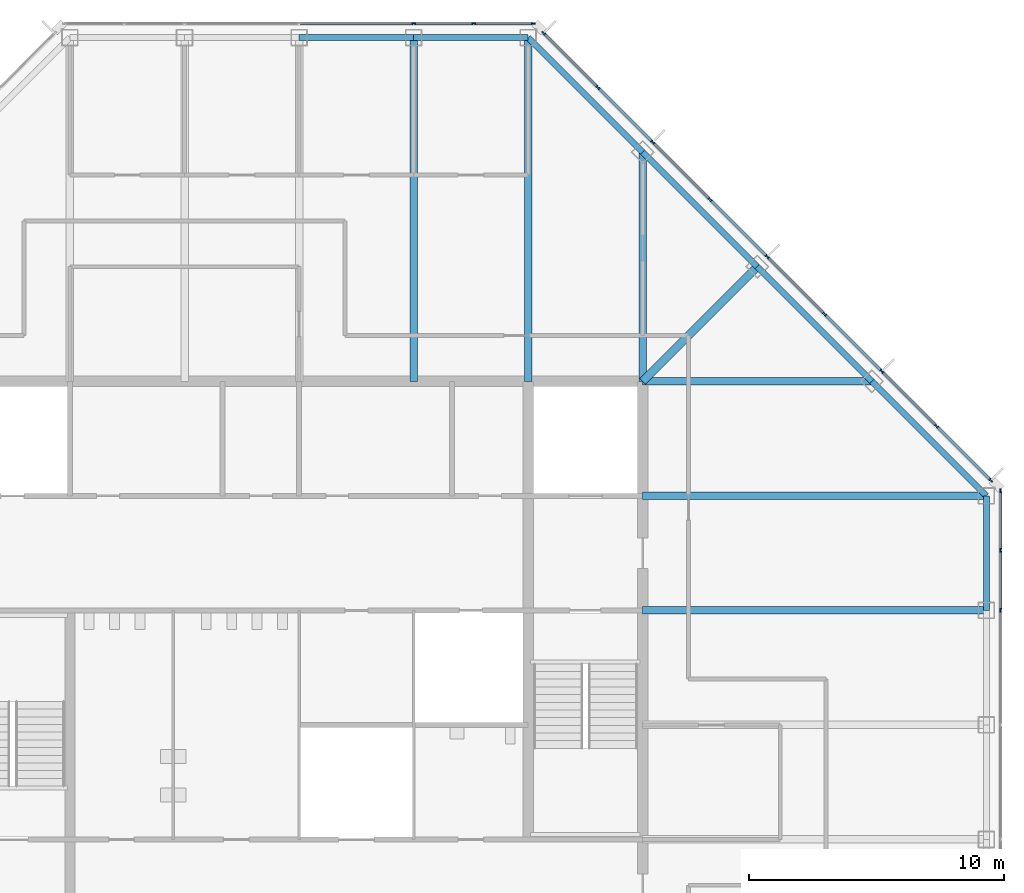
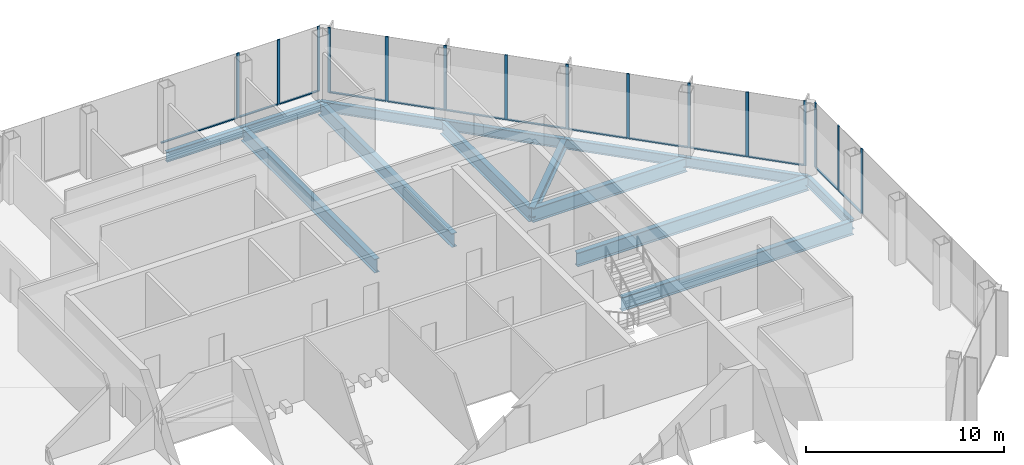
# One storey, part 7 of 14: 28 members, 14 beams, 3 elements without a shape of their own.
"""IFC4 building model written with IfcOpenShell, lengths in metres."""

from ifc_helpers import new_model, si_unit, direction, frame, origin, origin_2d, place, context, subcontext, project, spatial, rectangle, i_section, extrude, material, material_profile, profile_set, type_object, element, aggregate, save


model = new_model("IFC4")

# Units and contexts
model_context = context("Model", 3, precision=1e-05, world=origin(), true_north=direction((0.0, 1.0)))
body_context = subcontext(model_context, "Body", "Model", "MODEL_VIEW")
ifc_project = project(units=[si_unit("LENGTHUNIT", "METRE"), si_unit("AREAUNIT", "SQUARE_METRE"), si_unit("VOLUMEUNIT", "CUBIC_METRE"), si_unit("PLANEANGLEUNIT", "RADIAN"), si_unit("MASSUNIT", "GRAM", prefix="KILO")], contexts=[model_context])

# Site, building, storey
site_placement = place(None, origin())
site = spatial("IfcSite", under=ifc_project, at=site_placement, CompositionType="ELEMENT")
building_placement = place(site_placement, origin())
building = spatial("IfcBuilding", under=site, at=building_placement, Name="Corais Broadcast Tower", CompositionType="ELEMENT")
storey_placement = place(building_placement, frame((0.0, 0.0, 246.60009765625)))
storey = spatial("IfcBuildingStorey", under=building, at=storey_placement, Name="L57", CompositionType="ELEMENT", Elevation=246.60009765625)

# Beams
ifc_material_1 = material(Name="Steel ASTM A572 Grade 50", Category="steel")
ifc_material_profile_1 = material_profile(ifc_material_1, i_section(OverallWidth=0.323974609375, OverallDepth=0.611083984375, WebThickness=0.0126953125, FlangeThickness=0.01904296875, at=origin_2d()), Name="W610x155")
ifc_profile_set_1 = profile_set([ifc_material_profile_1], Name="Steel ASTM A572 Grade 50")
beam_type_1 = type_object("IfcBeamType", Name="Corner diagonal W610x155", PredefinedType="BEAM", material=ifc_profile_set_1)
beam_1_placement = place(storey_placement, frame((45.0, 45.0, -0.465576171875), z_axis=(-0.707106781187, -0.707106781187, 0.0), x_axis=(0.707106781187, -0.707106781187, 0.0)))
element("IfcBeam", 1, at=beam_1_placement, inside=storey, type_object=beam_type_1, Name="B6 L/13 to K/12", PredefinedType="BEAM", context=body_context, shape_type="SweptSolid", body=[
    extrude(i_section(OverallWidth=0.323974609375, OverallDepth=0.611083984375, WebThickness=0.0126953125, FlangeThickness=0.01904296875, at=origin_2d()), origin(), (0.0, 0.0, 1.0), 6.364013671875),
])
ifc_material_2 = material(Name="Steel ASTM A572 Grade 50", Category="steel")
ifc_material_profile_2 = material_profile(ifc_material_2, i_section(OverallWidth=0.2939453125, OverallDepth=0.85107421875, WebThickness=0.01611328125, FlangeThickness=0.02685546875, at=origin_2d()), Name="W840x226")
ifc_profile_set_2 = profile_set([ifc_material_profile_2], Name="Steel ASTM A572 Grade 50")
beam_type_2 = type_object("IfcBeamType", Name="Floor beam W840x226", PredefinedType="BEAM", material=ifc_profile_set_2)
for number, where, z_axis, x_axis, name in (
    (2, (31.5, 54.0, -0.585693359375), (0.0, -1.0, 0.0), (1.0, 0.0, 0.0), "B1 N/10 to K/10"),
    (3, (36.0, 54.0, -0.585693359375), (0.0, -1.0, 0.0), (1.0, 0.0, 0.0), "B1 N/11 to K/11"),
):
    element("IfcBeam", number, at=place(storey_placement, frame(where, z_axis=z_axis, x_axis=x_axis)), inside=storey, type_object=beam_type_2, Name=name, PredefinedType="BEAM", context=body_context, shape_type="SweptSolid", body=[
        extrude(i_section(OverallWidth=0.2939453125, OverallDepth=0.85107421875, WebThickness=0.01611328125, FlangeThickness=0.02685546875, at=origin_2d()), origin(), (0.0, 0.0, 1.0), 13.5),
    ])
for number, where, z_axis, x_axis, name in (
    (4, (40.5, 49.5, -0.585693359375), (0.0, -1.0, 0.0), (1.0, 0.0, 0.0), "B1 M/12 to K/12"),
    (5, (49.5, 40.5, -0.585693359375), (-1.0, 0.0, 0.0), (0.0, -1.0, 0.0), "B1 K/14 to K/12"),
):
    element("IfcBeam", number, at=place(storey_placement, frame(where, z_axis=z_axis, x_axis=x_axis)), inside=storey, type_object=beam_type_2, Name=name, PredefinedType="BEAM", context=body_context, shape_type="SweptSolid", body=[
        extrude(i_section(OverallWidth=0.2939453125, OverallDepth=0.85107421875, WebThickness=0.01611328125, FlangeThickness=0.02685546875, at=origin_2d()), origin(), (0.0, 0.0, 1.0), 9.0),
    ])
for number, where, z_axis, x_axis, name in (
    (6, (54.0, 31.5, -0.585693359375), (-1.0, 0.0, 0.0), (0.0, -1.0, 0.0), "B1 H/15 to H/12"),
    (7, (54.0, 36.0, -0.585693359375), (-1.0, 0.0, 0.0), (0.0, -1.0, 0.0), "B1 J/15 to J/12"),
):
    element("IfcBeam", number, at=place(storey_placement, frame(where, z_axis=z_axis, x_axis=x_axis)), inside=storey, type_object=beam_type_2, Name=name, PredefinedType="BEAM", context=body_context, shape_type="SweptSolid", body=[
        extrude(i_section(OverallWidth=0.2939453125, OverallDepth=0.85107421875, WebThickness=0.01611328125, FlangeThickness=0.02685546875, at=origin_2d()), origin(), (0.0, 0.0, 1.0), 13.5),
    ])

# Curtain wall, members
ifc_material_3 = material(Name="Aluminium and glass", Category="aluminium")
curtain_wall_type = type_object("IfcCurtainWallType", Name="Unitised fritted curtain wall CW3", PredefinedType="NOTDEFINED", material=ifc_material_3)
curtain_wall_1_placement = place(storey_placement, origin())
curtain_wall_1 = element("IfcCurtainWall", 8, at=curtain_wall_1_placement, inside=storey, type_object=curtain_wall_type, Name="CW3 curtain wall L57 4", PredefinedType="NOTDEFINED")
ifc_material_4 = material(Name="Aluminium 6063-T6", Category="aluminium")
ifc_material_profile_3 = material_profile(ifc_material_4, rectangle(XDim=0.06494140625, YDim=0.159912109375, at=origin_2d()), Name="Mullion CW3 65x160")
ifc_profile_set_3 = profile_set([ifc_material_profile_3], Name="Aluminium 6063-T6")
member_type_1 = type_object("IfcMemberType", Name="Mullion CW3 65x160", PredefinedType="MULLION", material=ifc_profile_set_3)
member_1_placement = place(storey_placement, frame((31.5, 54.550048828125, 0.0), z_axis=(0.0, 0.0, 1.0), x_axis=(0.0, 1.0, 0.0)))
member_1 = element("IfcMember", 9, at=member_1_placement, type_object=member_type_1, Name="CW3 mullion 5", PredefinedType="MULLION", context=body_context, shape_type="SweptSolid", body=[
    extrude(rectangle(XDim=0.06494140625, YDim=0.159912109375, at=origin_2d()), origin(), (0.0, 0.0, 1.0), 4.0),
])
member_2_placement = place(storey_placement, frame((33.864013671875, 54.550048828125, 0.0), z_axis=(0.0, 0.0, 1.0), x_axis=(0.0, 1.0, 0.0)))
member_2 = element("IfcMember", 10, at=member_2_placement, type_object=member_type_1, Name="CW3 mullion 6", PredefinedType="MULLION", context=body_context, shape_type="SweptSolid", body=[
    extrude(rectangle(XDim=0.06494140625, YDim=0.159912109375, at=origin_2d()), origin(), (0.0, 0.0, 1.0), 4.0),
])
member_3_placement = place(storey_placement, frame((36.1953125, 54.550048828125, 0.0), z_axis=(0.0, 0.0, 1.0), x_axis=(0.0, 1.0, 0.0)))
member_3 = element("IfcMember", 11, at=member_3_placement, type_object=member_type_1, Name="CW3 mullion 7", PredefinedType="MULLION", context=body_context, shape_type="SweptSolid", body=[
    extrude(rectangle(XDim=0.06494140625, YDim=0.159912109375, at=origin_2d()), origin(), (0.0, 0.0, 1.0), 4.0),
])

curtain_wall_2_placement = place(storey_placement, origin())
curtain_wall_2 = element("IfcCurtainWall", 12, at=curtain_wall_2_placement, inside=storey, type_object=curtain_wall_type, Name="CW3 curtain wall L57 5", PredefinedType="NOTDEFINED")
member_4_placement = place(storey_placement, frame((36.6044921875, 54.17333984375, 0.0), z_axis=(0.0, 0.0, 1.0), x_axis=(0.707106781187, 0.707106781187, 0.0)))
member_4 = element("IfcMember", 13, at=member_4_placement, type_object=member_type_1, Name="CW3 mullion 1", PredefinedType="MULLION", context=body_context, shape_type="SweptSolid", body=[
    extrude(rectangle(XDim=0.06494140625, YDim=0.159912109375, at=origin_2d()), origin(), (0.0, 0.0, 1.0), 4.0),
])
member_5_placement = place(storey_placement, frame((38.735107421875, 52.042724609375, 0.0), z_axis=(0.0, 0.0, 1.0), x_axis=(0.707106781187, 0.707106781187, 0.0)))
member_5 = element("IfcMember", 14, at=member_5_placement, type_object=member_type_1, Name="CW3 mullion 2", PredefinedType="MULLION", context=body_context, shape_type="SweptSolid", body=[
    extrude(rectangle(XDim=0.06494140625, YDim=0.159912109375, at=origin_2d()), origin(), (0.0, 0.0, 1.0), 4.0),
])
member_6_placement = place(storey_placement, frame((40.888916015625, 49.888916015625, 0.0), z_axis=(0.0, 0.0, 1.0), x_axis=(0.707106781187, 0.707106781187, 0.0)))
member_6 = element("IfcMember", 15, at=member_6_placement, type_object=member_type_1, Name="CW3 mullion 3", PredefinedType="MULLION", context=body_context, shape_type="SweptSolid", body=[
    extrude(rectangle(XDim=0.06494140625, YDim=0.159912109375, at=origin_2d()), origin(), (0.0, 0.0, 1.0), 4.0),
])
member_7_placement = place(storey_placement, frame((43.138916015625, 47.638916015625, 0.0), z_axis=(0.0, 0.0, 1.0), x_axis=(0.707106781187, 0.707106781187, 0.0)))
member_7 = element("IfcMember", 16, at=member_7_placement, type_object=member_type_1, Name="CW3 mullion 4", PredefinedType="MULLION", context=body_context, shape_type="SweptSolid", body=[
    extrude(rectangle(XDim=0.06494140625, YDim=0.159912109375, at=origin_2d()), origin(), (0.0, 0.0, 1.0), 4.0),
])
member_8_placement = place(storey_placement, frame((45.388916015625, 45.388916015625, 0.0), z_axis=(0.0, 0.0, 1.0), x_axis=(0.707106781187, 0.707106781187, 0.0)))
member_8 = element("IfcMember", 17, at=member_8_placement, type_object=member_type_1, Name="CW3 mullion 5", PredefinedType="MULLION", context=body_context, shape_type="SweptSolid", body=[
    extrude(rectangle(XDim=0.06494140625, YDim=0.159912109375, at=origin_2d()), origin(), (0.0, 0.0, 1.0), 4.0),
])
member_9_placement = place(storey_placement, frame((47.638916015625, 43.138916015625, 0.0), z_axis=(0.0, 0.0, 1.0), x_axis=(0.707106781187, 0.707106781187, 0.0)))
member_9 = element("IfcMember", 18, at=member_9_placement, type_object=member_type_1, Name="CW3 mullion 6", PredefinedType="MULLION", context=body_context, shape_type="SweptSolid", body=[
    extrude(rectangle(XDim=0.06494140625, YDim=0.159912109375, at=origin_2d()), origin(), (0.0, 0.0, 1.0), 4.0),
])
member_10_placement = place(storey_placement, frame((49.888916015625, 40.888916015625, 0.0), z_axis=(0.0, 0.0, 1.0), x_axis=(0.707106781187, 0.707106781187, 0.0)))
member_10 = element("IfcMember", 19, at=member_10_placement, type_object=member_type_1, Name="CW3 mullion 7", PredefinedType="MULLION", context=body_context, shape_type="SweptSolid", body=[
    extrude(rectangle(XDim=0.06494140625, YDim=0.159912109375, at=origin_2d()), origin(), (0.0, 0.0, 1.0), 4.0),
])
member_11_placement = place(storey_placement, frame((52.042724609375, 38.735107421875, 0.0), z_axis=(0.0, 0.0, 1.0), x_axis=(0.707106781187, 0.707106781187, 0.0)))
member_11 = element("IfcMember", 20, at=member_11_placement, type_object=member_type_1, Name="CW3 mullion 8", PredefinedType="MULLION", context=body_context, shape_type="SweptSolid", body=[
    extrude(rectangle(XDim=0.06494140625, YDim=0.159912109375, at=origin_2d()), origin(), (0.0, 0.0, 1.0), 4.0),
])
member_12_placement = place(storey_placement, frame((54.17333984375, 36.6044921875, 0.0), z_axis=(0.0, 0.0, 1.0), x_axis=(0.707106781187, 0.707106781187, 0.0)))
member_12 = element("IfcMember", 21, at=member_12_placement, type_object=member_type_1, Name="CW3 mullion 9", PredefinedType="MULLION", context=body_context, shape_type="SweptSolid", body=[
    extrude(rectangle(XDim=0.06494140625, YDim=0.159912109375, at=origin_2d()), origin(), (0.0, 0.0, 1.0), 4.0),
])

curtain_wall_3_placement = place(storey_placement, origin())
curtain_wall_3 = element("IfcCurtainWall", 22, at=curtain_wall_3_placement, inside=storey, type_object=curtain_wall_type, Name="CW3 curtain wall L57 6", PredefinedType="NOTDEFINED")
member_13_placement = place(storey_placement, frame((54.550048828125, 36.1953125, 0.0), z_axis=(0.0, 0.0, 1.0), x_axis=(1.0, 0.0, 0.0)))
member_13 = element("IfcMember", 23, at=member_13_placement, type_object=member_type_1, Name="CW3 mullion 1", PredefinedType="MULLION", context=body_context, shape_type="SweptSolid", body=[
    extrude(rectangle(XDim=0.06494140625, YDim=0.159912109375, at=origin_2d()), origin(), (0.0, 0.0, 1.0), 4.0),
])
member_14_placement = place(storey_placement, frame((54.550048828125, 33.864013671875, 0.0), z_axis=(0.0, 0.0, 1.0), x_axis=(1.0, 0.0, 0.0)))
member_14 = element("IfcMember", 24, at=member_14_placement, type_object=member_type_1, Name="CW3 mullion 2", PredefinedType="MULLION", context=body_context, shape_type="SweptSolid", body=[
    extrude(rectangle(XDim=0.06494140625, YDim=0.159912109375, at=origin_2d()), origin(), (0.0, 0.0, 1.0), 4.0),
])
member_15_placement = place(storey_placement, frame((54.550048828125, 31.5, 0.0), z_axis=(0.0, 0.0, 1.0), x_axis=(1.0, 0.0, 0.0)))
member_15 = element("IfcMember", 25, at=member_15_placement, type_object=member_type_1, Name="CW3 mullion 3", PredefinedType="MULLION", context=body_context, shape_type="SweptSolid", body=[
    extrude(rectangle(XDim=0.06494140625, YDim=0.159912109375, at=origin_2d()), origin(), (0.0, 0.0, 1.0), 4.0),
])

# Beams
ifc_material_5 = material(Name="Steel ASTM A572 Grade 50", Category="steel")
ifc_material_profile_4 = material_profile(ifc_material_5, i_section(OverallWidth=0.22998046875, OverallDepth=0.616943359375, WebThickness=0.01318359375, FlangeThickness=0.022216796875, at=origin_2d()), Name="W610x140")
ifc_profile_set_4 = profile_set([ifc_material_profile_4], Name="Steel ASTM A572 Grade 50")
beam_type_3 = type_object("IfcBeamType", Name="Spandrel W610x140", PredefinedType="BEAM", material=ifc_profile_set_4)
for number, where, z_axis, x_axis, name in (
    (26, (31.5, 54.0, -0.468505859375), (-1.0, 0.0, 0.0), (0.0, -1.0, 0.0), "SB3 N/10 to N/9"),
    (27, (36.0, 54.0, -0.468505859375), (-1.0, 0.0, 0.0), (0.0, -1.0, 0.0), "SB3 N/11 to N/10"),
):
    element("IfcBeam", number, at=place(storey_placement, frame(where, z_axis=z_axis, x_axis=x_axis)), inside=storey, type_object=beam_type_3, Name=name, PredefinedType="BEAM", context=body_context, shape_type="SweptSolid", body=[
        extrude(i_section(OverallWidth=0.22998046875, OverallDepth=0.616943359375, WebThickness=0.01318359375, FlangeThickness=0.022216796875, at=origin_2d()), origin(), (0.0, 0.0, 1.0), 4.5),
    ])
for number, where, z_axis, x_axis, name in (
    (28, (40.5, 49.5, -0.468505859375), (-0.707106781187, 0.707106781187, 0.0), (-0.707106781187, -0.707106781187, 0.0), "SB3 M/12 to N/11"),
    (29, (45.0, 45.0, -0.468505859375), (-0.707106781187, 0.707106781187, 0.0), (-0.707106781187, -0.707106781187, 0.0), "SB3 L/13 to M/12"),
    (30, (49.5, 40.5, -0.468505859375), (-0.707106781187, 0.707106781187, 0.0), (-0.707106781187, -0.707106781187, 0.0), "SB3 K/14 to L/13"),
):
    element("IfcBeam", number, at=place(storey_placement, frame(where, z_axis=z_axis, x_axis=x_axis)), inside=storey, type_object=beam_type_3, Name=name, PredefinedType="BEAM", context=body_context, shape_type="SweptSolid", body=[
        extrude(i_section(OverallWidth=0.22998046875, OverallDepth=0.616943359375, WebThickness=0.01318359375, FlangeThickness=0.022216796875, at=origin_2d()), origin(), (0.0, 0.0, 1.0), 6.364013671875),
    ])
beam_2_placement = place(storey_placement, frame((54.0, 31.5, -0.468505859375), z_axis=(0.0, 1.0, 0.0), x_axis=(-1.0, 0.0, 0.0)))
element("IfcBeam", 31, at=beam_2_placement, inside=storey, type_object=beam_type_3, Name="SB3 H/15 to J/15", PredefinedType="BEAM", context=body_context, shape_type="SweptSolid", body=[
    extrude(i_section(OverallWidth=0.22998046875, OverallDepth=0.616943359375, WebThickness=0.01318359375, FlangeThickness=0.022216796875, at=origin_2d()), origin(), (0.0, 0.0, 1.0), 4.5),
])
beam_3_placement = place(storey_placement, frame((54.0, 36.0, -0.468505859375), z_axis=(-0.707106781187, 0.707106781187, 0.0), x_axis=(-0.707106781187, -0.707106781187, 0.0)))
element("IfcBeam", 32, at=beam_3_placement, inside=storey, type_object=beam_type_3, Name="SB3 J/15 to K/14", PredefinedType="BEAM", context=body_context, shape_type="SweptSolid", body=[
    extrude(i_section(OverallWidth=0.22998046875, OverallDepth=0.616943359375, WebThickness=0.01318359375, FlangeThickness=0.022216796875, at=origin_2d()), origin(), (0.0, 0.0, 1.0), 6.364013671875),
])

# Member
ifc_material_6 = material(Name="Aluminium 6063-T6", Category="aluminium")
ifc_material_profile_5 = material_profile(ifc_material_6, rectangle(XDim=0.1201171875, YDim=0.06494140625, at=origin_2d()), Name="Transom CW3 65x120")
ifc_profile_set_5 = profile_set([ifc_material_profile_5], Name="Aluminium 6063-T6")
member_type_2 = type_object("IfcMemberType", Name="Transom CW3 65x120", PredefinedType="USERDEFINED", material=ifc_profile_set_5)
member_16_placement = place(storey_placement, frame((27.032470703125, 54.550048828125, 0.032470703125), z_axis=(1.0, 0.0, 0.0), x_axis=(0.0, 1.0, 0.0)))
member_16 = element("IfcMember", 33, at=member_16_placement, type_object=member_type_2, Name="CW3 transom 4.1", ObjectType="TRANSOM", PredefinedType="USERDEFINED", context=body_context, shape_type="SweptSolid", body=[
    extrude(rectangle(XDim=0.1201171875, YDim=0.06494140625, at=origin_2d()), origin(), (0.0, 0.0, 1.0), 4.43505859375),
])

member_17_placement = place(storey_placement, frame((31.532470703125, 54.550048828125, 0.032470703125), z_axis=(1.0, 0.0, 0.0), x_axis=(0.0, 1.0, 0.0)))
member_17 = element("IfcMember", 34, at=member_17_placement, type_object=member_type_2, Name="CW3 transom 5.1", ObjectType="TRANSOM", PredefinedType="USERDEFINED", context=body_context, shape_type="SweptSolid", body=[
    extrude(rectangle(XDim=0.1201171875, YDim=0.06494140625, at=origin_2d()), origin(), (0.0, 0.0, 1.0), 2.298828125),
])

member_18_placement = place(storey_placement, frame((33.896484375, 54.550048828125, 0.032470703125), z_axis=(1.0, 0.0, 0.0), x_axis=(0.0, 1.0, 0.0)))
member_18 = element("IfcMember", 35, at=member_18_placement, type_object=member_type_2, Name="CW3 transom 6.1", ObjectType="TRANSOM", PredefinedType="USERDEFINED", context=body_context, shape_type="SweptSolid", body=[
    extrude(rectangle(XDim=0.1201171875, YDim=0.06494140625, at=origin_2d()), origin(), (0.0, 0.0, 1.0), 2.266357421875),
])

aggregate(curtain_wall_1, [member_1, member_2, member_3, member_16, member_17, member_18])

member_19_placement = place(storey_placement, frame((36.62744140625, 54.150390625, 0.032470703125), z_axis=(0.707106781187, -0.707106781187, 0.0), x_axis=(0.707106781187, 0.707106781187, 0.0)))
member_19 = element("IfcMember", 36, at=member_19_placement, type_object=member_type_2, Name="CW3 transom 1.1", ObjectType="TRANSOM", PredefinedType="USERDEFINED", context=body_context, shape_type="SweptSolid", body=[
    extrude(rectangle(XDim=0.1201171875, YDim=0.06494140625, at=origin_2d()), origin(), (0.0, 0.0, 1.0), 2.9482421875),
])

member_20_placement = place(storey_placement, frame((38.758056640625, 52.019775390625, 0.032470703125), z_axis=(0.707106781187, -0.707106781187, 0.0), x_axis=(0.707106781187, 0.707106781187, 0.0)))
member_20 = element("IfcMember", 37, at=member_20_placement, type_object=member_type_2, Name="CW3 transom 2.1", ObjectType="TRANSOM", PredefinedType="USERDEFINED", context=body_context, shape_type="SweptSolid", body=[
    extrude(rectangle(XDim=0.1201171875, YDim=0.06494140625, at=origin_2d()), origin(), (0.0, 0.0, 1.0), 2.98095703125),
])

member_21_placement = place(storey_placement, frame((40.911865234375, 49.865966796875, 0.032470703125), z_axis=(0.707106781187, -0.707106781187, 0.0), x_axis=(0.707106781187, 0.707106781187, 0.0)))
member_21 = element("IfcMember", 38, at=member_21_placement, type_object=member_type_2, Name="CW3 transom 3.1", ObjectType="TRANSOM", PredefinedType="USERDEFINED", context=body_context, shape_type="SweptSolid", body=[
    extrude(rectangle(XDim=0.1201171875, YDim=0.06494140625, at=origin_2d()), origin(), (0.0, 0.0, 1.0), 3.1171875),
])

member_22_placement = place(storey_placement, frame((43.161865234375, 47.615966796875, 0.032470703125), z_axis=(0.707106781187, -0.707106781187, 0.0), x_axis=(0.707106781187, 0.707106781187, 0.0)))
member_22 = element("IfcMember", 39, at=member_22_placement, type_object=member_type_2, Name="CW3 transom 4.1", ObjectType="TRANSOM", PredefinedType="USERDEFINED", context=body_context, shape_type="SweptSolid", body=[
    extrude(rectangle(XDim=0.1201171875, YDim=0.06494140625, at=origin_2d()), origin(), (0.0, 0.0, 1.0), 3.1171875),
])

member_23_placement = place(storey_placement, frame((45.411865234375, 45.365966796875, 0.032470703125), z_axis=(0.707106781187, -0.707106781187, 0.0), x_axis=(0.707106781187, 0.707106781187, 0.0)))
member_23 = element("IfcMember", 40, at=member_23_placement, type_object=member_type_2, Name="CW3 transom 5.1", ObjectType="TRANSOM", PredefinedType="USERDEFINED", context=body_context, shape_type="SweptSolid", body=[
    extrude(rectangle(XDim=0.1201171875, YDim=0.06494140625, at=origin_2d()), origin(), (0.0, 0.0, 1.0), 3.1171875),
])

member_24_placement = place(storey_placement, frame((47.661865234375, 43.115966796875, 0.032470703125), z_axis=(0.707106781187, -0.707106781187, 0.0), x_axis=(0.707106781187, 0.707106781187, 0.0)))
member_24 = element("IfcMember", 41, at=member_24_placement, type_object=member_type_2, Name="CW3 transom 6.1", ObjectType="TRANSOM", PredefinedType="USERDEFINED", context=body_context, shape_type="SweptSolid", body=[
    extrude(rectangle(XDim=0.1201171875, YDim=0.06494140625, at=origin_2d()), origin(), (0.0, 0.0, 1.0), 3.1171875),
])

member_25_placement = place(storey_placement, frame((49.911865234375, 40.865966796875, 0.032470703125), z_axis=(0.707065828661, -0.70714773134, 0.0), x_axis=(0.70714773134, 0.707065828661, 0.0)))
member_25 = element("IfcMember", 42, at=member_25_placement, type_object=member_type_2, Name="CW3 transom 7.1", ObjectType="TRANSOM", PredefinedType="USERDEFINED", context=body_context, shape_type="SweptSolid", body=[
    extrude(rectangle(XDim=0.1201171875, YDim=0.06494140625, at=origin_2d()), origin(), (0.0, 0.0, 1.0), 2.98095703125),
])

member_26_placement = place(storey_placement, frame((52.065673828125, 38.712158203125, 0.032470703125), z_axis=(0.707106781187, -0.707106781187, 0.0), x_axis=(0.707106781187, 0.707106781187, 0.0)))
member_26 = element("IfcMember", 43, at=member_26_placement, type_object=member_type_2, Name="CW3 transom 8.1", ObjectType="TRANSOM", PredefinedType="USERDEFINED", context=body_context, shape_type="SweptSolid", body=[
    extrude(rectangle(XDim=0.1201171875, YDim=0.06494140625, at=origin_2d()), origin(), (0.0, 0.0, 1.0), 2.9482421875),
])

aggregate(curtain_wall_2, [member_4, member_5, member_6, member_7, member_8, member_9, member_10, member_11, member_12, member_19, member_20, member_21, member_22, member_23, member_24, member_25, member_26])

member_27_placement = place(storey_placement, frame((54.550048828125, 36.162841796875, 0.032470703125), z_axis=(0.0, -1.0, 0.0), x_axis=(1.0, 0.0, 0.0)))
member_27 = element("IfcMember", 44, at=member_27_placement, type_object=member_type_2, Name="CW3 transom 1.1", ObjectType="TRANSOM", PredefinedType="USERDEFINED", context=body_context, shape_type="SweptSolid", body=[
    extrude(rectangle(XDim=0.1201171875, YDim=0.06494140625, at=origin_2d()), origin(), (0.0, 0.0, 1.0), 2.266357421875),
])

member_28_placement = place(storey_placement, frame((54.550048828125, 33.831298828125, 0.032470703125), z_axis=(0.0, -1.0, 0.0), x_axis=(1.0, 0.0, 0.0)))
member_28 = element("IfcMember", 45, at=member_28_placement, type_object=member_type_2, Name="CW3 transom 2.1", ObjectType="TRANSOM", PredefinedType="USERDEFINED", context=body_context, shape_type="SweptSolid", body=[
    extrude(rectangle(XDim=0.1201171875, YDim=0.06494140625, at=origin_2d()), origin(), (0.0, 0.0, 1.0), 2.298828125),
])

aggregate(curtain_wall_3, [member_13, member_14, member_15, member_27, member_28])

save(model, "model.ifc")
